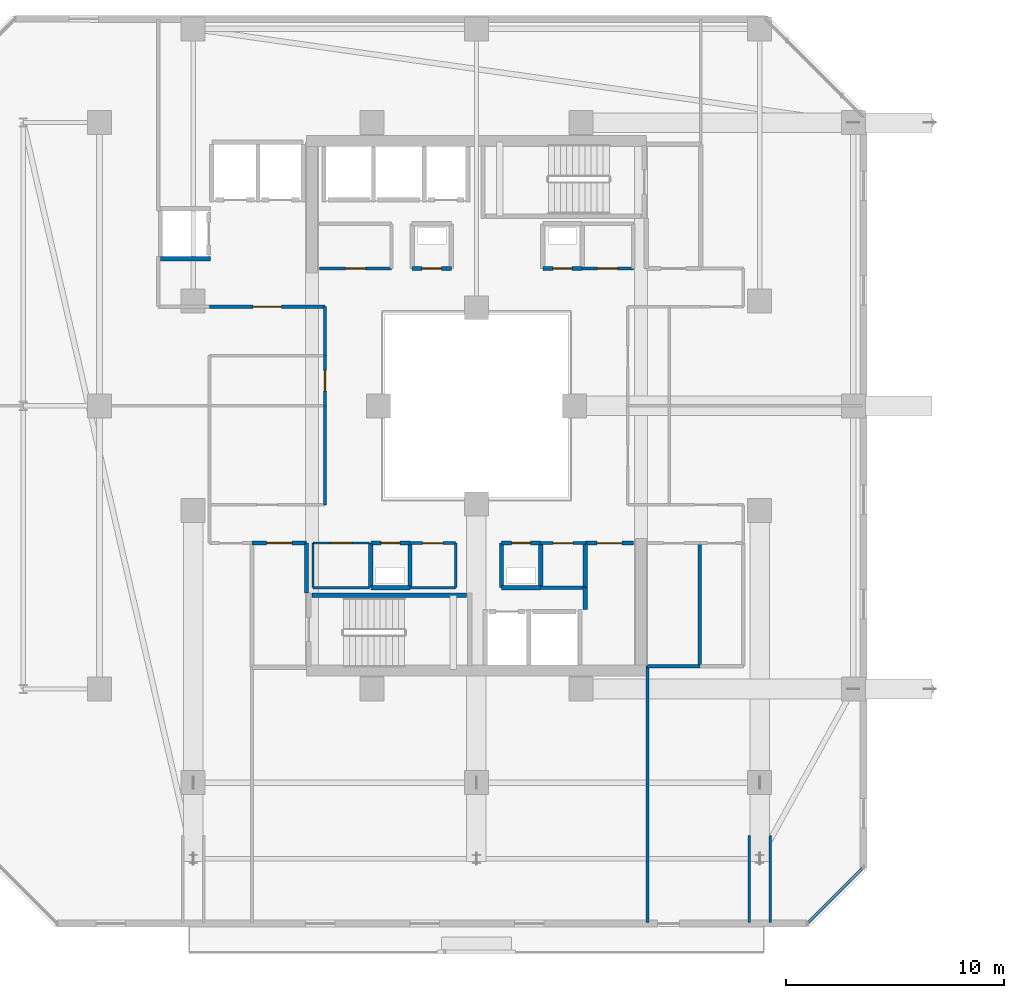
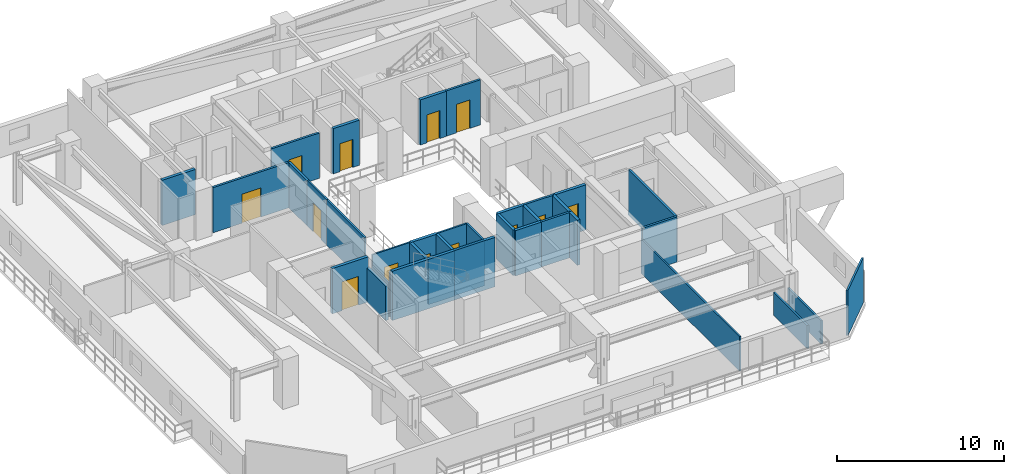
# One storey, part 21 of 35: 37 walls, 13 doors, 13 openings.
"""IFC4 building model written with IfcOpenShell, lengths in metres."""

from ifc_helpers import new_model, si_unit, direction, frame, frame_2d, origin, place, context, subcontext, project, spatial, rectangle, extrude, material, layer, layer_set, type_object, element, fill, save


model = new_model("IFC4")

# Units and contexts
model_context = context("Model", 3, precision=1e-05, world=origin(), true_north=direction((0.0, 1.0)))
body_context = subcontext(model_context, "Body", "Model", "MODEL_VIEW")
ifc_project = project(units=[si_unit("LENGTHUNIT", "METRE"), si_unit("AREAUNIT", "SQUARE_METRE"), si_unit("VOLUMEUNIT", "CUBIC_METRE"), si_unit("PLANEANGLEUNIT", "RADIAN"), si_unit("MASSUNIT", "GRAM", prefix="KILO")], contexts=[model_context])

# Site, building, storey
site_placement = place(None, origin())
site = spatial("IfcSite", under=ifc_project, at=site_placement, CompositionType="ELEMENT")
building_placement = place(site_placement, origin())
building = spatial("IfcBuilding", under=site, at=building_placement, Name="Thornwick Lancets Civic Towers", CompositionType="ELEMENT")
storey_placement = place(building_placement, frame((0.0, 0.0, 145.5)))
storey = spatial("IfcBuildingStorey", under=building, at=storey_placement, Name="L38", CompositionType="ELEMENT", Elevation=145.5)

# Walls
ifc_material_1 = material(Name="Concrete blockwork C40/50", Category="masonry")
ifc_layer_1 = layer(ifc_material_1, 0.199951171875, Name="Concrete blockwork C40/50")
ifc_layer_set_1 = layer_set([ifc_layer_1], Name="Concrete blockwork C40/50")
wall_type_1 = type_object("IfcWallType", Name="WALL_COMP_200", PredefinedType="STANDARD", material=ifc_layer_set_1)
wall_1_placement = place(storey_placement, frame((11.001953125, 33.75, 0.0), z_axis=(0.0, 0.0, 1.0), x_axis=(1.0, 0.0, 0.0)))
element("IfcWall", 1, at=wall_1_placement, inside=storey, type_object=wall_type_1, Name="L38 Hoistway Shaft Wall PL-AM3 S", PredefinedType="STANDARD", context=body_context, shape_type="SweptSolid", body=[
    extrude(rectangle(XDim=2.296142578125, YDim=0.199951171875, at=frame_2d((1.14794921875, 0.0))), origin(), (0.0, 0.0, 1.0), 3.300048828125),
])
wall_2_placement = place(storey_placement, frame((17.699951171875, 18.39990234375, 0.0), z_axis=(0.0, 0.0, 1.0), x_axis=(0.0, 1.0, 0.0)))
element("IfcWall", 2, at=wall_2_placement, inside=storey, type_object=wall_type_1, Name="L38 Partition L38-A-FFLOB1 E2", PredefinedType="STANDARD", context=body_context, shape_type="SweptSolid", body=[
    extrude(rectangle(XDim=2.300048828125, YDim=0.199951171875, at=frame_2d((1.14990234375, 0.0))), origin(), (0.0, 0.0, 1.0), 2.5048828125),
])

# Wall, opening, door
wall_3_placement = place(storey_placement, frame((17.699951171875, 20.699951171875, 0.0), z_axis=(0.0, 0.0, 1.0), x_axis=(-1.0, 0.0, 0.0)))
wall_3 = element("IfcWall", 3, at=wall_3_placement, inside=storey, type_object=wall_type_1, Name="L38 Partition L38-A-FFLOB1 E3", PredefinedType="STANDARD", context=body_context, shape_type="SweptSolid", body=[
    extrude(rectangle(XDim=2.5, YDim=0.199951171875, at=frame_2d((1.25, 0.0))), origin(), (0.0, 0.0, 1.0), 3.300048828125),
])
opening_1_placement = place(wall_3_placement, frame((0.675048828125, 0.0, 0.0)))
opening_1 = element("IfcOpeningElement", 4, at=opening_1_placement, cuts=wall_3, Name="Opening D-L38-1707", PredefinedType="OPENING", context=body_context, shape_type="SweptSolid", body=[
    extrude(rectangle(XDim=1.14990234375, YDim=2.10009765625, at=frame_2d((0.574951171875, 1.050048828125))), frame((0.0, 0.10986328125, 0.0), z_axis=(0.0, -1.0, 0.0), x_axis=(1.0, 0.0, 0.0)), (0.0, 0.0, 1.0), 0.219970703125),
])
ifc_material_2 = material(Name="Glazed fire-resisting steel", Category="steel")
door_type_1 = type_object("IfcDoorType", Name="DOOR_LOBBY_FD60", OperationType="NOTDEFINED", PredefinedType="DOOR", material=ifc_material_2)
door_1_placement = place(opening_1_placement, origin())
door_1 = element("IfcDoor", 5, at=door_1_placement, inside=storey, type_object=door_type_1, Name="L38 South Firefighting Lobby 1 Door", OperationType="SINGLE_SWING_RIGHT", OverallHeight=2.10009765625, OverallWidth=1.14990234375, PredefinedType="DOOR", context=body_context, shape_type="SweptSolid", body=[
    extrude(rectangle(XDim=1.14990234375, YDim=2.10009765625, at=frame_2d((0.574951171875, 1.050048828125))), frame((0.0, 0.02490234375, 0.0), z_axis=(0.0, -1.0, 0.0), x_axis=(1.0, 0.0, 0.0)), (0.0, 0.0, 1.0), 0.050048828125),
])
fill(opening_1, door_1)

# Walls
wall_4_placement = place(storey_placement, frame((26.64990234375, 18.64990234375, 0.0), z_axis=(0.0, 0.0, 1.0), x_axis=(1.0, 0.0, 0.0)))
element("IfcWall", 6, at=wall_4_placement, inside=storey, type_object=wall_type_1, Name="L38 Partition L38-A-DUCT1 E1", PredefinedType="STANDARD", context=body_context, shape_type="SweptSolid", body=[
    extrude(rectangle(XDim=1.800048828125, YDim=0.199951171875, at=frame_2d((0.89990234375, 0.0))), origin(), (0.0, 0.0, 1.0), 3.300048828125),
])
wall_5_placement = place(storey_placement, frame((28.449951171875, 18.64990234375, 0.0), z_axis=(0.0, 0.0, 1.0), x_axis=(0.0, 1.0, 0.0)))
element("IfcWall", 7, at=wall_5_placement, inside=storey, type_object=wall_type_1, Name="L38 Partition L38-A-DUCT1 E2", PredefinedType="STANDARD", context=body_context, shape_type="SweptSolid", body=[
    extrude(rectangle(XDim=2.050048828125, YDim=0.199951171875, at=frame_2d((1.02490234375, 0.0))), origin(), (0.0, 0.0, 1.0), 3.300048828125),
])

# Wall, opening, door
wall_6_placement = place(storey_placement, frame((28.449951171875, 20.699951171875, 0.0), z_axis=(0.0, 0.0, 1.0), x_axis=(-1.0, 0.0, 0.0)))
wall_6 = element("IfcWall", 8, at=wall_6_placement, inside=storey, type_object=wall_type_1, Name="L38 Partition L38-A-DUCT1 E3", PredefinedType="STANDARD", context=body_context, shape_type="SweptSolid", body=[
    extrude(rectangle(XDim=1.800048828125, YDim=0.199951171875, at=frame_2d((0.89990234375, 0.0))), origin(), (0.0, 0.0, 1.0), 3.300048828125),
])
opening_2_placement = place(wall_6_placement, frame((0.4599609375, 0.0, 0.0)))
opening_2 = element("IfcOpeningElement", 9, at=opening_2_placement, cuts=wall_6, Name="Opening D-L38-1709", PredefinedType="OPENING", context=body_context, shape_type="SweptSolid", body=[
    extrude(rectangle(XDim=0.8798828125, YDim=2.0400390625, at=frame_2d((0.43994140625, 1.02001953125))), frame((0.0, 0.10986328125, 0.0), z_axis=(0.0, -1.0, 0.0), x_axis=(1.0, 0.0, 0.0)), (0.0, 0.0, 1.0), 0.219970703125),
])
ifc_material_3 = material(Name="Steel riser access doorset", Category="steel")
door_type_2 = type_object("IfcDoorType", Name="DOOR_RISER_850", OperationType="NOTDEFINED", PredefinedType="DOOR", material=ifc_material_3)
door_2_placement = place(opening_2_placement, origin())
door_2 = element("IfcDoor", 10, at=door_2_placement, inside=storey, type_object=door_type_2, Name="L38 South Service Duct 1 Door", OperationType="SINGLE_SWING_RIGHT", OverallHeight=2.0400390625, OverallWidth=0.8798828125, PredefinedType="DOOR", context=body_context, shape_type="SweptSolid", body=[
    extrude(rectangle(XDim=0.8798828125, YDim=2.0400390625, at=frame_2d((0.43994140625, 1.02001953125))), frame((0.0, 0.02490234375, 0.0), z_axis=(0.0, -1.0, 0.0), x_axis=(1.0, 0.0, 0.0)), (0.0, 0.0, 1.0), 0.050048828125),
])
fill(opening_2, door_2)

# Walls
wall_7_placement = place(storey_placement, frame((26.64990234375, 20.699951171875, 0.0), z_axis=(0.0, 0.0, 1.0), x_axis=(0.0, -1.0, 0.0)))
element("IfcWall", 11, at=wall_7_placement, inside=storey, type_object=wall_type_1, Name="L38 Partition L38-A-DUCT1 E4", PredefinedType="STANDARD", context=body_context, shape_type="SweptSolid", body=[
    extrude(rectangle(XDim=2.050048828125, YDim=0.199951171875, at=frame_2d((1.02490234375, 0.0))), origin(), (0.0, 0.0, 1.0), 3.300048828125),
])
wall_8_placement = place(storey_placement, frame((20.64990234375, 18.64990234375, 0.0), z_axis=(0.0, 0.0, 1.0), x_axis=(1.0, 0.0, 0.0)))
element("IfcWall", 12, at=wall_8_placement, inside=storey, type_object=wall_type_1, Name="L38 Partition L38-A-RISER1 E1", PredefinedType="STANDARD", context=body_context, shape_type="SweptSolid", body=[
    extrude(rectangle(XDim=1.800048828125, YDim=0.199951171875, at=frame_2d((0.89990234375, 0.0))), origin(), (0.0, 0.0, 1.0), 3.300048828125),
])
wall_9_placement = place(storey_placement, frame((22.449951171875, 18.64990234375, 0.0), z_axis=(0.0, 0.0, 1.0), x_axis=(0.0, 1.0, 0.0)))
element("IfcWall", 13, at=wall_9_placement, inside=storey, type_object=wall_type_1, Name="L38 Partition L38-A-RISER1 E2", PredefinedType="STANDARD", context=body_context, shape_type="SweptSolid", body=[
    extrude(rectangle(XDim=2.050048828125, YDim=0.199951171875, at=frame_2d((1.02490234375, 0.0))), origin(), (0.0, 0.0, 1.0), 3.300048828125),
])

# Wall, opening, door
wall_10_placement = place(storey_placement, frame((22.449951171875, 20.699951171875, 0.0), z_axis=(0.0, 0.0, 1.0), x_axis=(-1.0, 0.0, 0.0)))
wall_10 = element("IfcWall", 14, at=wall_10_placement, inside=storey, type_object=wall_type_1, Name="L38 Partition L38-A-RISER1 E3", PredefinedType="STANDARD", context=body_context, shape_type="SweptSolid", body=[
    extrude(rectangle(XDim=1.800048828125, YDim=0.199951171875, at=frame_2d((0.89990234375, 0.0))), origin(), (0.0, 0.0, 1.0), 3.300048828125),
])
opening_3_placement = place(wall_10_placement, frame((0.4599609375, 0.0, 0.0)))
opening_3 = element("IfcOpeningElement", 15, at=opening_3_placement, cuts=wall_10, Name="Opening D-L38-1710", PredefinedType="OPENING", context=body_context, shape_type="SweptSolid", body=[
    extrude(rectangle(XDim=0.8798828125, YDim=2.0400390625, at=frame_2d((0.43994140625, 1.02001953125))), frame((0.0, 0.10986328125, 0.0), z_axis=(0.0, -1.0, 0.0), x_axis=(1.0, 0.0, 0.0)), (0.0, 0.0, 1.0), 0.219970703125),
])
door_3_placement = place(opening_3_placement, origin())
door_3 = element("IfcDoor", 16, at=door_3_placement, inside=storey, type_object=door_type_2, Name="L38 South Electrical Riser 1 Door", OperationType="SINGLE_SWING_LEFT", OverallHeight=2.0400390625, OverallWidth=0.8798828125, PredefinedType="DOOR", context=body_context, shape_type="SweptSolid", body=[
    extrude(rectangle(XDim=0.8798828125, YDim=2.0400390625, at=frame_2d((0.43994140625, 1.02001953125))), frame((0.0, 0.02490234375, 0.0), z_axis=(0.0, -1.0, 0.0), x_axis=(1.0, 0.0, 0.0)), (0.0, 0.0, 1.0), 0.050048828125),
])
fill(opening_3, door_3)

# Wall
wall_11_placement = place(storey_placement, frame((20.64990234375, 20.699951171875, 0.0), z_axis=(0.0, 0.0, 1.0), x_axis=(0.0, -1.0, 0.0)))
element("IfcWall", 17, at=wall_11_placement, inside=storey, type_object=wall_type_1, Name="L38 Partition L38-A-RISER1 E4", PredefinedType="STANDARD", context=body_context, shape_type="SweptSolid", body=[
    extrude(rectangle(XDim=2.050048828125, YDim=0.199951171875, at=frame_2d((1.02490234375, 0.0))), origin(), (0.0, 0.0, 1.0), 3.300048828125),
])

# Wall, opening, door
wall_12_placement = place(storey_placement, frame((22.550048828125, 33.300048828125, 0.0), z_axis=(0.0, 0.0, 1.0), x_axis=(1.0, 0.0, 0.0)))
wall_12 = element("IfcWall", 18, at=wall_12_placement, inside=storey, type_object=wall_type_1, Name="L38 Partition L38-A-DUCT2 E1", PredefinedType="STANDARD", context=body_context, shape_type="SweptSolid", body=[
    extrude(rectangle(XDim=1.800048828125, YDim=0.199951171875, at=frame_2d((0.89990234375, 0.0))), origin(), (0.0, 0.0, 1.0), 3.300048828125),
])
opening_4_placement = place(wall_12_placement, frame((0.4599609375, 0.0, 0.0)))
opening_4 = element("IfcOpeningElement", 19, at=opening_4_placement, cuts=wall_12, Name="Opening D-L38-1711", PredefinedType="OPENING", context=body_context, shape_type="SweptSolid", body=[
    extrude(rectangle(XDim=0.8798828125, YDim=2.0400390625, at=frame_2d((0.43994140625, 1.02001953125))), frame((0.0, 0.10986328125, 0.0), z_axis=(0.0, -1.0, 0.0), x_axis=(1.0, 0.0, 0.0)), (0.0, 0.0, 1.0), 0.219970703125),
])
door_4_placement = place(opening_4_placement, origin())
door_4 = element("IfcDoor", 20, at=door_4_placement, inside=storey, type_object=door_type_2, Name="L38 North Service Duct 2 Door", OperationType="SINGLE_SWING_RIGHT", OverallHeight=2.0400390625, OverallWidth=0.8798828125, PredefinedType="DOOR", context=body_context, shape_type="SweptSolid", body=[
    extrude(rectangle(XDim=0.8798828125, YDim=2.0400390625, at=frame_2d((0.43994140625, 1.02001953125))), frame((0.0, 0.02490234375, 0.0), z_axis=(0.0, -1.0, 0.0), x_axis=(1.0, 0.0, 0.0)), (0.0, 0.0, 1.0), 0.050048828125),
])
fill(opening_4, door_4)

wall_13_placement = place(storey_placement, frame((28.550048828125, 33.300048828125, 0.0), z_axis=(0.0, 0.0, 1.0), x_axis=(1.0, 0.0, 0.0)))
wall_13 = element("IfcWall", 21, at=wall_13_placement, inside=storey, type_object=wall_type_1, Name="L38 Partition L38-A-RISER2 E1", PredefinedType="STANDARD", context=body_context, shape_type="SweptSolid", body=[
    extrude(rectangle(XDim=1.800048828125, YDim=0.199951171875, at=frame_2d((0.89990234375, 0.0))), origin(), (0.0, 0.0, 1.0), 3.300048828125),
])
opening_5_placement = place(wall_13_placement, frame((0.4599609375, 0.0, 0.0)))
opening_5 = element("IfcOpeningElement", 22, at=opening_5_placement, cuts=wall_13, Name="Opening D-L38-1712", PredefinedType="OPENING", context=body_context, shape_type="SweptSolid", body=[
    extrude(rectangle(XDim=0.8798828125, YDim=2.0400390625, at=frame_2d((0.43994140625, 1.02001953125))), frame((0.0, 0.10986328125, 0.0), z_axis=(0.0, -1.0, 0.0), x_axis=(1.0, 0.0, 0.0)), (0.0, 0.0, 1.0), 0.219970703125),
])
door_5_placement = place(opening_5_placement, origin())
door_5 = element("IfcDoor", 23, at=door_5_placement, inside=storey, type_object=door_type_2, Name="L38 North Service Riser 2 Door", OperationType="SINGLE_SWING_LEFT", OverallHeight=2.0400390625, OverallWidth=0.8798828125, PredefinedType="DOOR", context=body_context, shape_type="SweptSolid", body=[
    extrude(rectangle(XDim=0.8798828125, YDim=2.0400390625, at=frame_2d((0.43994140625, 1.02001953125))), frame((0.0, 0.02490234375, 0.0), z_axis=(0.0, -1.0, 0.0), x_axis=(1.0, 0.0, 0.0)), (0.0, 0.0, 1.0), 0.050048828125),
])
fill(opening_5, door_5)

# Walls
wall_14_placement = place(storey_placement, frame((30.5, 17.64794921875, 0.0), z_axis=(0.0, 0.0, 1.0), x_axis=(0.0, 1.0, 0.0)))
element("IfcWall", 24, at=wall_14_placement, inside=storey, type_object=wall_type_1, Name="L38 Partition L38-A-STR2 E3", PredefinedType="STANDARD", context=body_context, shape_type="SweptSolid", body=[
    extrude(rectangle(XDim=1.001953125, YDim=0.199951171875, at=frame_2d((0.5009765625, 0.0))), origin(), (0.0, 0.0, 1.0), 3.300048828125),
])
wall_15_placement = place(storey_placement, frame((30.5, 18.64990234375, 0.0), z_axis=(0.0, 0.0, 1.0), x_axis=(0.0, 1.0, 0.0)))
element("IfcWall", 25, at=wall_15_placement, inside=storey, type_object=wall_type_1, Name="L38 Partition L38-A-STR2 E4", PredefinedType="STANDARD", context=body_context, shape_type="SweptSolid", body=[
    extrude(rectangle(XDim=2.050048828125, YDim=0.199951171875, at=frame_2d((1.02490234375, 0.0))), origin(), (0.0, 0.0, 1.0), 3.300048828125),
])

# Wall, opening, door
wall_16_placement = place(storey_placement, frame((30.5, 20.699951171875, 0.0), z_axis=(0.0, 0.0, 1.0), x_axis=(1.0, 0.0, 0.0)))
wall_16 = element("IfcWall", 26, at=wall_16_placement, inside=storey, type_object=wall_type_1, Name="L38 Partition L38-A-STR2 E5", PredefinedType="STANDARD", context=body_context, shape_type="SweptSolid", body=[
    extrude(rectangle(XDim=2.199951171875, YDim=0.199951171875, at=frame_2d((1.10009765625, 0.0))), origin(), (0.0, 0.0, 1.0), 3.300048828125),
])
opening_6_placement = place(wall_16_placement, frame((0.52490234375, 0.0, 0.0)))
opening_6 = element("IfcOpeningElement", 27, at=opening_6_placement, cuts=wall_16, Name="Opening D-L38-1716", PredefinedType="OPENING", context=body_context, shape_type="SweptSolid", body=[
    extrude(rectangle(XDim=1.14990234375, YDim=2.10009765625, at=frame_2d((0.574951171875, 1.050048828125))), frame((0.0, 0.10986328125, 0.0), z_axis=(0.0, -1.0, 0.0), x_axis=(1.0, 0.0, 0.0)), (0.0, 0.0, 1.0), 0.219970703125),
])
door_6_placement = place(opening_6_placement, origin())
door_6 = element("IfcDoor", 28, at=door_6_placement, inside=storey, type_object=door_type_1, Name="L38 Tower A Core Supplies Store Door", OperationType="SINGLE_SWING_LEFT", OverallHeight=2.10009765625, OverallWidth=1.14990234375, PredefinedType="DOOR", context=body_context, shape_type="SweptSolid", body=[
    extrude(rectangle(XDim=1.14990234375, YDim=2.10009765625, at=frame_2d((0.574951171875, 1.050048828125))), frame((0.0, 0.02490234375, 0.0), z_axis=(0.0, -1.0, 0.0), x_axis=(1.0, 0.0, 0.0)), (0.0, 0.0, 1.0), 0.050048828125),
])
fill(opening_6, door_6)

# Wall
ifc_material_4 = material(Name="Lightweight cellular office partition")
ifc_layer_2 = layer(ifc_material_4, 0.10009765625, Name="Lightweight cellular office partition")
ifc_layer_set_2 = layer_set([ifc_layer_2], Name="Lightweight cellular office partition")
wall_type_2 = type_object("IfcWallType", Name="WALL_PART_100", PredefinedType="PARTITIONING", material=ifc_layer_set_2)
wall_17_placement = place(storey_placement, frame((18.0, 18.64990234375, 0.0), z_axis=(0.0, 0.0, 1.0), x_axis=(1.0, 0.0, 0.0)))
element("IfcWall", 29, at=wall_17_placement, inside=storey, type_object=wall_type_2, Name="L38 Partition L38-A-CLN E1", PredefinedType="PARTITIONING", context=body_context, shape_type="SweptSolid", body=[
    extrude(rectangle(XDim=2.60009765625, YDim=0.10009765625, at=frame_2d((1.300048828125, 0.0))), origin(), (0.0, 0.0, 1.0), 3.300048828125),
])

# Wall, opening, door
wall_18_placement = place(storey_placement, frame((20.60009765625, 20.699951171875, 0.0), z_axis=(0.0, 0.0, 1.0), x_axis=(-1.0, 0.0, 0.0)))
wall_18 = element("IfcWall", 30, at=wall_18_placement, inside=storey, type_object=wall_type_2, Name="L38 Partition L38-A-CLN E3", PredefinedType="PARTITIONING", context=body_context, shape_type="SweptSolid", body=[
    extrude(rectangle(XDim=2.60009765625, YDim=0.10009765625, at=frame_2d((1.300048828125, 0.0))), origin(), (0.0, 0.0, 1.0), 3.300048828125),
])
opening_7_placement = place(wall_18_placement, frame((0.824951171875, 0.0, 0.0)))
opening_7 = element("IfcOpeningElement", 31, at=opening_7_placement, cuts=wall_18, Name="Opening D-L38-1713", PredefinedType="OPENING", context=body_context, shape_type="SweptSolid", body=[
    extrude(rectangle(XDim=0.949951171875, YDim=2.10009765625, at=frame_2d((0.47509765625, 1.050048828125))), frame((0.0, 0.06005859375, 0.0), z_axis=(0.0, -1.0, 0.0), x_axis=(1.0, 0.0, 0.0)), (0.0, 0.0, 1.0), 0.1201171875),
])
ifc_material_5 = material(Name="European oak acoustic doorset")
door_type_3 = type_object("IfcDoorType", Name="DOOR_OFFICE_950", OperationType="NOTDEFINED", PredefinedType="DOOR", material=ifc_material_5)
door_7_placement = place(opening_7_placement, origin())
door_7 = element("IfcDoor", 32, at=door_7_placement, inside=storey, type_object=door_type_3, Name="L38 Tower A Cleaners Store Door", OperationType="SINGLE_SWING_RIGHT", OverallHeight=2.10009765625, OverallWidth=0.949951171875, PredefinedType="DOOR", context=body_context, shape_type="SweptSolid", body=[
    extrude(rectangle(XDim=0.949951171875, YDim=2.10009765625, at=frame_2d((0.47509765625, 1.050048828125))), frame((0.0, 0.02490234375, 0.0), z_axis=(0.0, -1.0, 0.0), x_axis=(1.0, 0.0, 0.0)), (0.0, 0.0, 1.0), 0.050048828125),
])
fill(opening_7, door_7)

# Walls
wall_19_placement = place(storey_placement, frame((18.0, 20.699951171875, 0.0), z_axis=(0.0, 0.0, 1.0), x_axis=(0.0, -1.0, 0.0)))
element("IfcWall", 33, at=wall_19_placement, inside=storey, type_object=wall_type_2, Name="L38 Partition L38-A-CLN E4", PredefinedType="PARTITIONING", context=body_context, shape_type="SweptSolid", body=[
    extrude(rectangle(XDim=2.050048828125, YDim=0.10009765625, at=frame_2d((1.02490234375, 0.0))), origin(), (0.0, 0.0, 1.0), 2.5048828125),
])
ifc_material_6 = material(Name="Acoustic gypsum board partition")
ifc_layer_3 = layer(ifc_material_6, 0.1201171875, Name="Acoustic gypsum board partition")
ifc_layer_set_3 = layer_set([ifc_layer_3], Name="Acoustic gypsum board partition")
wall_type_3 = type_object("IfcWallType", Name="WALL_PART_120", PredefinedType="PARTITIONING", material=ifc_layer_set_3)
wall_20_placement = place(storey_placement, frame((24.550048828125, 20.699951171875, 0.0), z_axis=(0.0, 0.0, 1.0), x_axis=(0.0, -1.0, 0.0)))
element("IfcWall", 34, at=wall_20_placement, inside=storey, type_object=wall_type_3, Name="L38 Partition L38-A-ITR E1", PredefinedType="PARTITIONING", context=body_context, shape_type="SweptSolid", body=[
    extrude(rectangle(XDim=2.050048828125, YDim=0.1201171875, at=frame_2d((1.02490234375, 0.0))), origin(), (0.0, 0.0, 1.0), 3.300048828125),
])
wall_21_placement = place(storey_placement, frame((24.550048828125, 18.64990234375, 0.0), z_axis=(0.0, 0.0, 1.0), x_axis=(-1.0, 0.0, 0.0)))
element("IfcWall", 35, at=wall_21_placement, inside=storey, type_object=wall_type_3, Name="L38 Partition L38-A-ITR E2", PredefinedType="PARTITIONING", context=body_context, shape_type="SweptSolid", body=[
    extrude(rectangle(XDim=2.10009765625, YDim=0.1201171875, at=frame_2d((1.050048828125, 0.0))), origin(), (0.0, 0.0, 1.0), 3.300048828125),
])

# Wall, opening, door
wall_22_placement = place(storey_placement, frame((22.449951171875, 20.699951171875, 0.0), z_axis=(0.0, 0.0, 1.0), x_axis=(1.0, 0.0, 0.0)))
wall_22 = element("IfcWall", 36, at=wall_22_placement, inside=storey, type_object=wall_type_3, Name="L38 Partition L38-A-ITR E4", PredefinedType="PARTITIONING", context=body_context, shape_type="SweptSolid", body=[
    extrude(rectangle(XDim=2.10009765625, YDim=0.1201171875, at=frame_2d((1.050048828125, 0.0))), origin(), (0.0, 0.0, 1.0), 3.300048828125),
])
opening_8_placement = place(wall_22_placement, frame((0.574951171875, 0.0, 0.0)))
opening_8 = element("IfcOpeningElement", 37, at=opening_8_placement, cuts=wall_22, Name="Opening D-L38-1714", PredefinedType="OPENING", context=body_context, shape_type="SweptSolid", body=[
    extrude(rectangle(XDim=0.949951171875, YDim=2.10009765625, at=frame_2d((0.47509765625, 1.050048828125))), frame((0.0, 0.070068359375, 0.0), z_axis=(0.0, -1.0, 0.0), x_axis=(1.0, 0.0, 0.0)), (0.0, 0.0, 1.0), 0.14013671875),
])
door_8_placement = place(opening_8_placement, origin())
door_8 = element("IfcDoor", 38, at=door_8_placement, inside=storey, type_object=door_type_3, Name="L38 Tower A Comms Patch Room Door", OperationType="SINGLE_SWING_LEFT", OverallHeight=2.10009765625, OverallWidth=0.949951171875, PredefinedType="DOOR", context=body_context, shape_type="SweptSolid", body=[
    extrude(rectangle(XDim=0.949951171875, YDim=2.10009765625, at=frame_2d((0.47509765625, 1.050048828125))), frame((0.0, 0.02490234375, 0.0), z_axis=(0.0, -1.0, 0.0), x_axis=(1.0, 0.0, 0.0)), (0.0, 0.0, 1.0), 0.050048828125),
])
fill(opening_8, door_8)

# Wall
wall_23_placement = place(storey_placement, frame((18.550048828125, 27.0, 0.0), z_axis=(0.0, 0.0, 1.0), x_axis=(0.0, -1.0, 0.0)))
element("IfcWall", 39, at=wall_23_placement, inside=storey, type_object=wall_type_3, Name="L38 Partition L38-A-W2 E3", PredefinedType="PARTITIONING", context=body_context, shape_type="SweptSolid", body=[
    extrude(rectangle(XDim=4.550048828125, YDim=0.1201171875, at=frame_2d((2.27490234375, 0.0))), origin(), (0.0, 0.0, 1.0), 3.300048828125),
])

# Wall, opening, door
wall_24_placement = place(storey_placement, frame((18.550048828125, 29.300048828125, 0.0), z_axis=(0.0, 0.0, 1.0), x_axis=(0.0, -1.0, 0.0)))
wall_24 = element("IfcWall", 40, at=wall_24_placement, inside=storey, type_object=wall_type_3, Name="L38 Partition L38-A-W3 E3", PredefinedType="PARTITIONING", context=body_context, shape_type="SweptSolid", body=[
    extrude(rectangle(XDim=2.300048828125, YDim=0.1201171875, at=frame_2d((1.14990234375, 0.0))), origin(), (0.0, 0.0, 1.0), 3.300048828125),
])
opening_9_placement = place(wall_24_placement, frame((0.675048828125, 0.0, 0.0)))
opening_9 = element("IfcOpeningElement", 41, at=opening_9_placement, cuts=wall_24, Name="Opening D-L38-1735", PredefinedType="OPENING", context=body_context, shape_type="SweptSolid", body=[
    extrude(rectangle(XDim=0.949951171875, YDim=2.10009765625, at=frame_2d((0.47509765625, 1.050048828125))), frame((0.0, 0.070068359375, 0.0), z_axis=(0.0, -1.0, 0.0), x_axis=(1.0, 0.0, 0.0)), (0.0, 0.0, 1.0), 0.14013671875),
])
door_9_placement = place(opening_9_placement, origin())
door_9 = element("IfcDoor", 42, at=door_9_placement, inside=storey, type_object=door_type_3, Name="L38 Tower A Staff Tea Pantry and Lounge Door", OperationType="SINGLE_SWING_RIGHT", OverallHeight=2.10009765625, OverallWidth=0.949951171875, PredefinedType="DOOR", context=body_context, shape_type="SweptSolid", body=[
    extrude(rectangle(XDim=0.949951171875, YDim=2.10009765625, at=frame_2d((0.47509765625, 1.050048828125))), frame((0.0, 0.02490234375, 0.0), z_axis=(0.0, -1.0, 0.0), x_axis=(1.0, 0.0, 0.0)), (0.0, 0.0, 1.0), 0.050048828125),
])
fill(opening_9, door_9)

# Walls
for number, where, z_axis, x_axis, name in (
    (43, (38.97998046875, 3.280029296875, 0.0), (0.0, 0.0, 1.0), (0.0, 1.0, 0.0), "L38 Partition L38-A-E2 E2"),
    (44, (38.02001953125, 7.287353515625, 0.0), (0.0, 0.0, 1.0), (0.0, -1.0, 0.0), "L38 Partition L38-A-E2 E4"),
):
    element("IfcWall", number, at=place(storey_placement, frame(where, z_axis=z_axis, x_axis=x_axis)), inside=storey, type_object=wall_type_3, Name=name, PredefinedType="PARTITIONING", context=body_context, shape_type="SweptSolid", body=[
        extrude(rectangle(XDim=4.00732421875, YDim=0.1201171875, at=frame_2d((2.003662109375, 0.0))), origin(), (0.0, 0.0, 1.0), 1.68505859375),
    ])
wall_25_placement = place(storey_placement, frame((33.35009765625, 3.280029296875, 0.0), z_axis=(0.0, 0.0, 1.0), x_axis=(0.0, 1.0, 0.0)))
element("IfcWall", 45, at=wall_25_placement, inside=storey, type_object=wall_type_3, Name="L38 Partition L38-A-E2 E6", PredefinedType="PARTITIONING", context=body_context, shape_type="SweptSolid", body=[
    extrude(rectangle(XDim=11.77001953125, YDim=0.1201171875, at=frame_2d((5.885009765625, 0.0))), origin(), (0.0, 0.0, 1.0), 2.5048828125),
])
wall_26_placement = place(storey_placement, frame((43.219970703125, 5.774658203125, 0.0), z_axis=(0.0, 0.0, 1.0), x_axis=(-0.707106781187, -0.707106781187, 0.0)))
element("IfcWall", 46, at=wall_26_placement, inside=storey, type_object=wall_type_3, Name="L38 Partition L38-A-E2 E15", PredefinedType="PARTITIONING", context=body_context, shape_type="SweptSolid", body=[
    extrude(rectangle(XDim=3.52783203125, YDim=0.1201171875, at=frame_2d((1.763916015625, 0.0))), origin(), (0.0, 0.0, 1.0), 3.300048828125),
])
ifc_material_7 = material(Name="Twin-stud acoustic gypsum board")
ifc_layer_4 = layer(ifc_material_7, 0.14990234375, Name="Twin-stud acoustic gypsum board")
ifc_layer_set_4 = layer_set([ifc_layer_4], Name="Twin-stud acoustic gypsum board")
wall_type_4 = type_object("IfcWallType", Name="WALL_PART_150", PredefinedType="PARTITIONING", material=ifc_layer_set_4)
wall_27_placement = place(storey_placement, frame((30.5, 18.64990234375, 0.0), z_axis=(0.0, 0.0, 1.0), x_axis=(-1.0, 0.0, 0.0)))
element("IfcWall", 47, at=wall_27_placement, inside=storey, type_object=wall_type_4, Name="L38 Partition L38-A-AWC E2", PredefinedType="PARTITIONING", context=body_context, shape_type="SweptSolid", body=[
    extrude(rectangle(XDim=2.050048828125, YDim=0.14990234375, at=frame_2d((1.02490234375, 0.0))), origin(), (0.0, 0.0, 1.0), 3.300048828125),
])

# Wall, opening, door
wall_28_placement = place(storey_placement, frame((28.449951171875, 20.699951171875, 0.0), z_axis=(0.0, 0.0, 1.0), x_axis=(1.0, 0.0, 0.0)))
wall_28 = element("IfcWall", 48, at=wall_28_placement, inside=storey, type_object=wall_type_4, Name="L38 Partition L38-A-AWC E4", PredefinedType="PARTITIONING", context=body_context, shape_type="SweptSolid", body=[
    extrude(rectangle(XDim=2.050048828125, YDim=0.14990234375, at=frame_2d((1.02490234375, 0.0))), origin(), (0.0, 0.0, 1.0), 3.300048828125),
])
opening_10_placement = place(wall_28_placement, frame((0.56494140625, 0.0, 0.0)))
opening_10 = element("IfcOpeningElement", 49, at=opening_10_placement, cuts=wall_28, Name="Opening D-L38-1715", PredefinedType="OPENING", context=body_context, shape_type="SweptSolid", body=[
    extrude(rectangle(XDim=0.919921875, YDim=2.080078125, at=frame_2d((0.4599609375, 1.0400390625))), frame((0.0, 0.0849609375, 0.0), z_axis=(0.0, -1.0, 0.0), x_axis=(1.0, 0.0, 0.0)), (0.0, 0.0, 1.0), 0.169921875),
])
ifc_material_8 = material(Name="Moisture-resistant oak doorset")
door_type_4 = type_object("IfcDoorType", Name="DOOR_WC_900", OperationType="NOTDEFINED", PredefinedType="DOOR", material=ifc_material_8)
door_10_placement = place(opening_10_placement, origin())
door_10 = element("IfcDoor", 50, at=door_10_placement, inside=storey, type_object=door_type_4, Name="L38 Tower A Accessible WC Door", OperationType="SINGLE_SWING_RIGHT", OverallHeight=2.080078125, OverallWidth=0.919921875, PredefinedType="DOOR", context=body_context, shape_type="SweptSolid", body=[
    extrude(rectangle(XDim=0.919921875, YDim=2.080078125, at=frame_2d((0.4599609375, 1.0400390625))), frame((0.0, 0.02490234375, 0.0), z_axis=(0.0, -1.0, 0.0), x_axis=(1.0, 0.0, 0.0)), (0.0, 0.0, 1.0), 0.050048828125),
])
fill(opening_10, door_10)

wall_29_placement = place(storey_placement, frame((18.300048828125, 33.300048828125, 0.0), z_axis=(0.0, 0.0, 1.0), x_axis=(1.0, 0.0, 0.0)))
wall_29 = element("IfcWall", 51, at=wall_29_placement, inside=storey, type_object=wall_type_4, Name="L38 Partition L38-A-MWC E1", PredefinedType="PARTITIONING", context=body_context, shape_type="SweptSolid", body=[
    extrude(rectangle(XDim=3.300048828125, YDim=0.14990234375, at=frame_2d((1.64990234375, 0.0))), origin(), (0.0, 0.0, 1.0), 3.300048828125),
])
opening_11_placement = place(wall_29_placement, frame((1.18994140625, 0.0, 0.0)))
opening_11 = element("IfcOpeningElement", 52, at=opening_11_placement, cuts=wall_29, Name="Opening D-L38-1717", PredefinedType="OPENING", context=body_context, shape_type="SweptSolid", body=[
    extrude(rectangle(XDim=0.919921875, YDim=2.080078125, at=frame_2d((0.4599609375, 1.0400390625))), frame((0.0, 0.0849609375, 0.0), z_axis=(0.0, -1.0, 0.0), x_axis=(1.0, 0.0, 0.0)), (0.0, 0.0, 1.0), 0.169921875),
])
door_11_placement = place(opening_11_placement, origin())
door_11 = element("IfcDoor", 53, at=door_11_placement, inside=storey, type_object=door_type_4, Name="L38 Tower A Male WC Door", OperationType="SINGLE_SWING_RIGHT", OverallHeight=2.080078125, OverallWidth=0.919921875, PredefinedType="DOOR", context=body_context, shape_type="SweptSolid", body=[
    extrude(rectangle(XDim=0.919921875, YDim=2.080078125, at=frame_2d((0.4599609375, 1.0400390625))), frame((0.0, 0.02490234375, 0.0), z_axis=(0.0, -1.0, 0.0), x_axis=(1.0, 0.0, 0.0)), (0.0, 0.0, 1.0), 0.050048828125),
])
fill(opening_11, door_11)

wall_30_placement = place(storey_placement, frame((32.699951171875, 33.300048828125, 0.0), z_axis=(0.0, 0.0, 1.0), x_axis=(-1.0, 0.0, 0.0)))
wall_30 = element("IfcWall", 54, at=wall_30_placement, inside=storey, type_object=wall_type_4, Name="L38 Partition L38-A-FWC E2", PredefinedType="PARTITIONING", context=body_context, shape_type="SweptSolid", body=[
    extrude(rectangle(XDim=2.349853515625, YDim=0.14990234375, at=frame_2d((1.1748046875, 0.0))), origin(), (0.0, 0.0, 1.0), 3.300048828125),
])
opening_12_placement = place(wall_30_placement, frame((0.715087890625, 0.0, 0.0)))
opening_12 = element("IfcOpeningElement", 55, at=opening_12_placement, cuts=wall_30, Name="Opening D-L38-1718", PredefinedType="OPENING", context=body_context, shape_type="SweptSolid", body=[
    extrude(rectangle(XDim=0.919921875, YDim=2.080078125, at=frame_2d((0.4599609375, 1.0400390625))), frame((0.0, 0.0849609375, 0.0), z_axis=(0.0, -1.0, 0.0), x_axis=(1.0, 0.0, 0.0)), (0.0, 0.0, 1.0), 0.169921875),
])
door_12_placement = place(opening_12_placement, origin())
door_12 = element("IfcDoor", 56, at=door_12_placement, inside=storey, type_object=door_type_4, Name="L38 Tower A Female WC Door", OperationType="SINGLE_SWING_LEFT", OverallHeight=2.080078125, OverallWidth=0.919921875, PredefinedType="DOOR", context=body_context, shape_type="SweptSolid", body=[
    extrude(rectangle(XDim=0.919921875, YDim=2.080078125, at=frame_2d((0.4599609375, 1.0400390625))), frame((0.0, 0.02490234375, 0.0), z_axis=(0.0, -1.0, 0.0), x_axis=(1.0, 0.0, 0.0)), (0.0, 0.0, 1.0), 0.050048828125),
])
fill(opening_12, door_12)

# Walls
wall_31_placement = place(storey_placement, frame((35.75, 15.050048828125, 0.0), z_axis=(0.0, 0.0, 1.0), x_axis=(-1.0, 0.0, 0.0)))
element("IfcWall", 57, at=wall_31_placement, inside=storey, type_object=wall_type_4, Name="L38 Partition L38-A-RECLAIM-L1 E1", PredefinedType="PARTITIONING", context=body_context, shape_type="SweptSolid", body=[
    extrude(rectangle(XDim=2.39990234375, YDim=0.14990234375, at=frame_2d((1.199951171875, 0.0))), origin(), (0.0, 0.0, 1.0), 3.300048828125),
])
wall_32_placement = place(storey_placement, frame((35.75, 20.699951171875, 0.0), z_axis=(0.0, 0.0, 1.0), x_axis=(0.0, -1.0, 0.0)))
element("IfcWall", 58, at=wall_32_placement, inside=storey, type_object=wall_type_4, Name="L38 Partition L38-A-RECLAIM-L1 E4", PredefinedType="PARTITIONING", context=body_context, shape_type="SweptSolid", body=[
    extrude(rectangle(XDim=5.64990234375, YDim=0.14990234375, at=frame_2d((2.824951171875, 0.0))), origin(), (0.0, 0.0, 1.0), 3.300048828125),
])

# Wall, opening, door
wall_33_placement = place(storey_placement, frame((13.25, 31.550048828125, 0.0), z_axis=(0.0, 0.0, 1.0), x_axis=(1.0, 0.0, 0.0)))
wall_33 = element("IfcWall", 59, at=wall_33_placement, inside=storey, type_object=wall_type_4, Name="L38 Partition L38-A-W4 E1", PredefinedType="PARTITIONING", context=body_context, shape_type="SweptSolid", body=[
    extrude(rectangle(XDim=5.300048828125, YDim=0.14990234375, at=frame_2d((2.64990234375, 0.0))), origin(), (0.0, 0.0, 1.0), 3.300048828125),
])
opening_13_placement = place(wall_33_placement, frame((2.0, 0.0, 0.0)))
opening_13 = element("IfcOpeningElement", 60, at=opening_13_placement, cuts=wall_33, Name="Opening D-L38-1736", PredefinedType="OPENING", context=body_context, shape_type="SweptSolid", body=[
    extrude(rectangle(XDim=1.300048828125, YDim=2.1201171875, at=frame_2d((0.64990234375, 1.06005859375))), frame((0.0, 0.0849609375, 0.0), z_axis=(0.0, -1.0, 0.0), x_axis=(1.0, 0.0, 0.0)), (0.0, 0.0, 1.0), 0.169921875),
])
ifc_material_9 = material(Name="Acoustic oak leaf-and-a-half doorset")
door_type_5 = type_object("IfcDoorType", Name="DOOR_MEET_1300", OperationType="DOUBLE_DOOR_SINGLE_SWING", PredefinedType="DOOR", material=ifc_material_9)
door_13_placement = place(opening_13_placement, origin())
door_13 = element("IfcDoor", 61, at=door_13_placement, inside=storey, type_object=door_type_5, Name="L38 Tower A Policy Briefing Room W4 Door", OperationType="DOUBLE_DOOR_SINGLE_SWING", OverallHeight=2.1201171875, OverallWidth=1.300048828125, PredefinedType="DOOR", context=body_context, shape_type="SweptSolid", body=[
    extrude(rectangle(XDim=1.300048828125, YDim=2.1201171875, at=frame_2d((0.64990234375, 1.06005859375))), frame((0.0, 0.02490234375, 0.0), z_axis=(0.0, -1.0, 0.0), x_axis=(1.0, 0.0, 0.0)), (0.0, 0.0, 1.0), 0.050048828125),
])
fill(opening_13, door_13)

# Walls
wall_34_placement = place(storey_placement, frame((18.550048828125, 31.550048828125, 0.0), z_axis=(0.0, 0.0, 1.0), x_axis=(0.0, -1.0, 0.0)))
element("IfcWall", 62, at=wall_34_placement, inside=storey, type_object=wall_type_4, Name="L38 Partition L38-A-W4 E2", PredefinedType="PARTITIONING", context=body_context, shape_type="SweptSolid", body=[
    extrude(rectangle(XDim=2.25, YDim=0.14990234375, at=frame_2d((1.125, 0.0))), origin(), (0.0, 0.0, 1.0), 3.300048828125),
])
ifc_material_10 = material(Name="Concrete C40/50", Category="concrete")
ifc_layer_5 = layer(ifc_material_10, 0.199951171875, Name="Concrete C40/50")
ifc_layer_set_5 = layer_set([ifc_layer_5], Name="Concrete C40/50")
wall_type_5 = type_object("IfcWallType", Name="WALL_SHAFT_200", PredefinedType="SHEAR", material=ifc_layer_set_5)
wall_35_placement = place(storey_placement, frame((25.050048828125, 18.297119140625, 0.0), z_axis=(0.0, 0.0, 1.0), x_axis=(-1.0, 0.0, 0.0)))
element("IfcWall", 63, at=wall_35_placement, inside=storey, type_object=wall_type_5, Name="L38 ST-A1 Fire Stair Core Wall RIGHT", PredefinedType="SHEAR", context=body_context, shape_type="SweptSolid", body=[
    extrude(rectangle(XDim=7.10009765625, YDim=0.199951171875, at=frame_2d((3.550048828125, 0.0))), origin(), (0.0, 0.0, 1.0), 3.60009765625),
])

save(model, "model.ifc")
